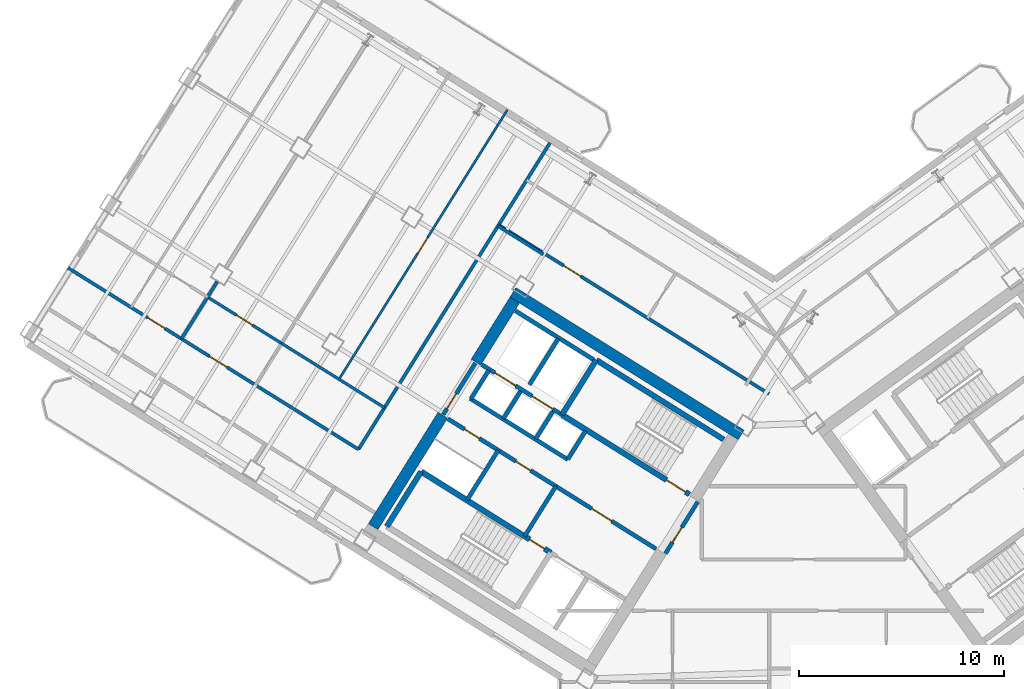
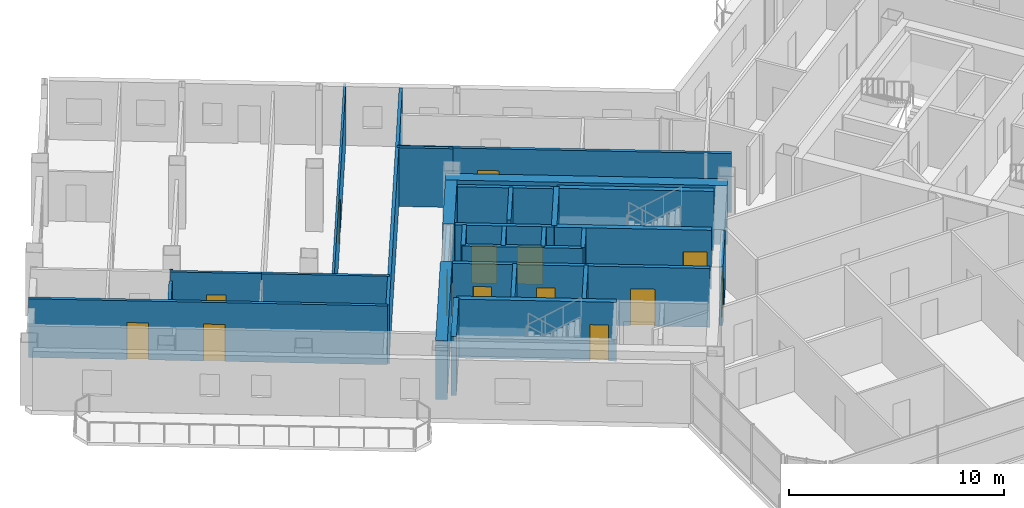
# One storey, part 12 of 20: 30 walls, 14 doors, 14 openings.
"""IFC4 building model written with IfcOpenShell, lengths in metres."""

from ifc_helpers import new_model, si_unit, direction, frame, frame_2d, origin, place, context, subcontext, project, spatial, rectangle, extrude, source, transform, mapped, material, layer, layer_set, type_object, element, fill, save


model = new_model("IFC4")

# Units and contexts
model_context = context("Model", 3, precision=1e-05, world=origin(), true_north=direction((0.0, 1.0)))
body_context = subcontext(model_context, "Body", "Model", "MODEL_VIEW")
ifc_project = project(units=[si_unit("LENGTHUNIT", "METRE"), si_unit("AREAUNIT", "SQUARE_METRE"), si_unit("VOLUMEUNIT", "CUBIC_METRE"), si_unit("PLANEANGLEUNIT", "RADIAN"), si_unit("MASSUNIT", "GRAM", prefix="KILO")], contexts=[model_context])

# Site, building, storey
site_placement = place(None, origin())
site = spatial("IfcSite", under=ifc_project, at=site_placement, CompositionType="ELEMENT")
building_placement = place(site_placement, origin())
building = spatial("IfcBuilding", under=site, at=building_placement, Name="Tlacorven Tower", CompositionType="ELEMENT")
storey_placement = place(building_placement, frame((0.0, 0.0, 204.0)))
storey = spatial("IfcBuildingStorey", under=building, at=storey_placement, Name="L51", CompositionType="ELEMENT", Elevation=204.0)

# Walls
ifc_material_1 = material(Name="Concrete C60/75", Category="concrete")
ifc_layer_1 = layer(ifc_material_1, 0.550048828125)
ifc_layer_set_1 = layer_set([ifc_layer_1], Name="Concrete C60/75")
wall_type_1 = type_object("IfcWallType", Name="WL-COR-550", PredefinedType="SHEAR", material=ifc_layer_set_1)
wall_1_placement = place(storey_placement, frame((40.572998046875, 24.010009765625, 0.0), z_axis=(0.0, 0.0, 1.0), x_axis=(-0.848047359947, 0.529920442413, 0.0)))
element("IfcWall", 1, at=wall_1_placement, inside=storey, type_object=wall_type_1, Name="L51 W core shear wall S1", PredefinedType="SHEAR", context=body_context, shape_type="SweptSolid", body=[
    extrude(rectangle(XDim=13.139892578125, YDim=0.550048828125, at=frame_2d((6.56982421875, 0.0))), origin(), (0.0, 0.0, 1.0), 3.35009765625),
])
wall_2_placement = place(storey_placement, frame((29.517333984375, 30.59423828125, 0.0), z_axis=(0.0, 0.0, 1.0), x_axis=(-0.529906864564, -0.848055844204, 0.0)))
element("IfcWall", 2, at=wall_2_placement, inside=storey, type_object=wall_type_1, Name="L51 W core end wall E2.1", PredefinedType="SHEAR", context=body_context, shape_type="SweptSolid", body=[
    extrude(rectangle(XDim=3.5751953125, YDim=0.550048828125, at=frame_2d((1.78759765625, 0.0))), origin(), (0.0, 0.0, 1.0), 3.35009765625),
])
wall_3_placement = place(storey_placement, frame((26.006591796875, 24.975830078125, 0.0), z_axis=(0.0, 0.0, 1.0), x_axis=(-0.529923795287, -0.848045264823, 0.0)))
element("IfcWall", 3, at=wall_3_placement, inside=storey, type_object=wall_type_1, Name="L51 W core end wall E2.2", PredefinedType="SHEAR", context=body_context, shape_type="SweptSolid", body=[
    extrude(rectangle(XDim=6.425048828125, YDim=0.550048828125, at=frame_2d((3.21240234375, 0.0))), origin(), (0.0, 0.0, 1.0), 3.35009765625),
])
ifc_material_2 = material(Name="Gypsum plasterboard acoustic partition", Category="gypsum")
ifc_layer_2 = layer(ifc_material_2, 0.159912109375)
ifc_layer_set_2 = layer_set([ifc_layer_2], Name="Gypsum plasterboard acoustic partition")
wall_type_2 = type_object("IfcWallType", Name="WL-DEM-160", PredefinedType="PARTITIONING", material=ifc_layer_set_2)
wall_4_placement = place(storey_placement, frame((30.91357421875, 32.82861328125, 0.0), z_axis=(0.0, 0.0, 1.0), x_axis=(-0.848008813643, 0.529982124211, 0.0)))
element("IfcWall", 4, at=wall_4_placement, inside=storey, type_object=wall_type_2, Name="L51 partition 45", PredefinedType="PARTITIONING", context=body_context, shape_type="SweptSolid", body=[
    extrude(rectangle(XDim=2.610107421875, YDim=0.159912109375, at=frame_2d((1.30517578125, 0.0))), origin(), (0.0, 0.0, 1.0), 3.340087890625),
])
wall_5_placement = place(storey_placement, frame((31.238525390625, 38.27392578125, 0.0), z_axis=(0.0, 0.0, 1.0), x_axis=(-0.529918119251, -0.84804881162, 0.0)))
element("IfcWall", 5, at=wall_5_placement, inside=storey, type_object=wall_type_2, Name="L51 partition 47", PredefinedType="PARTITIONING", context=body_context, shape_type="SweptSolid", body=[
    extrude(rectangle(XDim=17.64990234375, YDim=0.159912109375, at=frame_2d((8.824951171875, 0.0))), origin(), (0.0, 0.0, 1.0), 3.340087890625),
])

# Wall, openings, doors
wall_6_placement = place(storey_placement, frame((21.885498046875, 23.305908203125, 0.0), z_axis=(0.0, 0.0, 1.0), x_axis=(-0.848052408131, 0.529912363569, 0.0)))
wall_6 = element("IfcWall", 6, at=wall_6_placement, inside=storey, type_object=wall_type_2, Name="L51 Wing W Corridor South Wall", PredefinedType="PARTITIONING", context=body_context, shape_type="SweptSolid", body=[
    extrude(rectangle(XDim=16.72998046875, YDim=0.159912109375, at=frame_2d((8.364990234375, 0.0))), origin(), (0.0, 0.0, 1.0), 3.340087890625),
])
opening_1_placement = place(wall_6_placement, frame((7.570068359375, 0.0, 0.0)))
opening_1 = element("IfcOpeningElement", 7, at=opening_1_placement, cuts=wall_6, Name="Opening D11", PredefinedType="OPENING", context=body_context, shape_type="SweptSolid", body=[
    extrude(rectangle(XDim=1.0, YDim=2.10009765625, at=frame_2d((0.5, 1.050048828125))), frame((0.0, 0.08984375, 0.0), z_axis=(0.0, -1.0, 0.0), x_axis=(1.0, 0.0, 0.0)), (0.0, 0.0, 1.0), 0.179931640625),
])
opening_2_placement = place(wall_6_placement, frame((11.139892578125, 0.0, 0.0)))
opening_2 = element("IfcOpeningElement", 8, at=opening_2_placement, cuts=wall_6, Name="Opening D11", PredefinedType="OPENING", context=body_context, shape_type="SweptSolid", body=[
    extrude(rectangle(XDim=1.0, YDim=2.10009765625, at=frame_2d((0.5, 1.050048828125))), frame((0.0, 0.08984375, 0.0), z_axis=(0.0, -1.0, 0.0), x_axis=(1.0, 0.0, 0.0)), (0.0, 0.0, 1.0), 0.179931640625),
])
ifc_material_3 = material(Name="Fire-rated steel door assembly", Category="steel")
door_type_1 = type_object("IfcDoorType", Name="DR-FLT-FD60-1000", OperationType="NOTDEFINED", PredefinedType="DOOR", material=ifc_material_3)
shared_shape_1 = source(origin(), body_context, "Body", "SweptSolid", [
    extrude(rectangle(XDim=1.0, YDim=2.10009765625, at=frame_2d((0.5, 1.050048828125))), frame((0.0, 0.02490234375, 0.0), z_axis=(0.0, -1.0, 0.0), x_axis=(1.0, 0.0, 0.0)), (0.0, 0.0, 1.0), 0.050048828125),
])
door_1_placement = place(opening_1_placement, origin())
door_1 = element("IfcDoor", 9, at=door_1_placement, inside=storey, type_object=door_type_1, Name="L51 door 024", OperationType="SINGLE_SWING_RIGHT", OverallHeight=2.10009765625, OverallWidth=1.0, PredefinedType="DOOR", context=body_context, shape_type="MappedRepresentation", body=[
    mapped(shared_shape_1, transform((0.0, 0.0, 0.0), scale=1.0)),
])
fill(opening_1, door_1)
door_2_placement = place(opening_2_placement, origin())
door_2 = element("IfcDoor", 10, at=door_2_placement, inside=storey, type_object=door_type_1, Name="L51 door 030", OperationType="SINGLE_SWING_RIGHT", OverallHeight=2.10009765625, OverallWidth=1.0, PredefinedType="DOOR", context=body_context, shape_type="MappedRepresentation", body=[
    mapped(shared_shape_1, transform((0.0, 0.0, 0.0), scale=1.0)),
])
fill(opening_2, door_2)

# Wall
wall_7_placement = place(storey_placement, frame((14.986083984375, 31.494140625, 0.0), z_axis=(0.0, 0.0, 1.0), x_axis=(-0.529885466561, -0.848069214349, 0.0)))
element("IfcWall", 11, at=wall_7_placement, inside=storey, type_object=wall_type_2, Name="L51 WS Demising Wall 1", PredefinedType="PARTITIONING", context=body_context, shape_type="SweptSolid", body=[
    extrude(rectangle(XDim=3.287841796875, YDim=0.159912109375, at=frame_2d((1.64404296875, 0.0))), origin(), (0.0, 0.0, 1.0), 2.824951171875),
])

# Wall, opening, door
wall_8_placement = place(storey_placement, frame((41.93603515625, 26.011962890625, 0.0), z_axis=(0.0, 0.0, 1.0), x_axis=(-0.848051154596, 0.529914369676, 0.0)))
wall_8 = element("IfcWall", 12, at=wall_8_placement, inside=storey, type_object=wall_type_2, Name="L51 partition 64", PredefinedType="PARTITIONING", context=body_context, shape_type="SweptSolid", body=[
    extrude(rectangle(XDim=15.56982421875, YDim=0.159912109375, at=frame_2d((7.784912109375, 0.0))), origin(), (0.0, 0.0, 1.0), 3.340087890625),
])
opening_3_placement = place(wall_8_placement, frame((10.830078125, 0.0, 0.0)))
opening_3 = element("IfcOpeningElement", 13, at=opening_3_placement, cuts=wall_8, Name="Opening D11", PredefinedType="OPENING", context=body_context, shape_type="SweptSolid", body=[
    extrude(rectangle(XDim=1.0, YDim=2.10009765625, at=frame_2d((0.5, 1.050048828125))), frame((0.0, 0.08984375, 0.0), z_axis=(0.0, -1.0, 0.0), x_axis=(1.0, 0.0, 0.0)), (0.0, 0.0, 1.0), 0.179931640625),
])
door_3_placement = place(opening_3_placement, origin())
door_3 = element("IfcDoor", 14, at=door_3_placement, inside=storey, type_object=door_type_1, Name="L51 door 035", OperationType="SINGLE_SWING_LEFT", OverallHeight=2.10009765625, OverallWidth=1.0, PredefinedType="DOOR", context=body_context, shape_type="MappedRepresentation", body=[
    mapped(shared_shape_1, transform((0.0, 0.0, 0.0), scale=1.0)),
])
fill(opening_3, door_3)

ifc_material_4 = material(Name="Gypsum plasterboard partition", Category="gypsum")
ifc_layer_3 = layer(ifc_material_4, 0.110107421875)
ifc_layer_set_3 = layer_set([ifc_layer_3], Name="Gypsum plasterboard partition")
wall_type_3 = type_object("IfcWallType", Name="WL-INT-110", PredefinedType="PARTITIONING", material=ifc_layer_set_3)
wall_9_placement = place(storey_placement, frame((29.161376953125, 39.890380859375, 0.0), z_axis=(0.0, 0.0, 1.0), x_axis=(-0.529915512424, -0.848050440535, 0.0)))
wall_9 = element("IfcWall", 15, at=wall_9_placement, inside=storey, type_object=wall_type_3, Name="L51 partition 58", PredefinedType="PARTITIONING", context=body_context, shape_type="SweptSolid", body=[
    extrude(rectangle(XDim=15.520263671875, YDim=0.110107421875, at=frame_2d((7.76025390625, 0.0))), origin(), (0.0, 0.0, 1.0), 3.340087890625),
])
opening_4_placement = place(wall_9_placement, frame((7.344970703125, 0.0, 0.0)))
opening_4 = element("IfcOpeningElement", 16, at=opening_4_placement, cuts=wall_9, Name="Opening D12", PredefinedType="OPENING", context=body_context, shape_type="SweptSolid", body=[
    extrude(rectangle(XDim=0.919921875, YDim=2.080078125, at=frame_2d((0.4599609375, 1.0400390625))), frame((0.0, 0.06494140625, 0.0), z_axis=(0.0, -1.0, 0.0), x_axis=(1.0, 0.0, 0.0)), (0.0, 0.0, 1.0), 0.130126953125),
])
ifc_material_5 = material(Name="Powder-coated aluminium and timber door", Category="wood")
door_type_2 = type_object("IfcDoorType", Name="DR-INT-ROOM-0920", OperationType="NOTDEFINED", PredefinedType="DOOR", material=ifc_material_5)
shared_shape_2 = source(origin(), body_context, "Body", "SweptSolid", [
    extrude(rectangle(XDim=0.919921875, YDim=2.080078125, at=frame_2d((0.4599609375, 1.0400390625))), frame((0.0, 0.02490234375, 0.0), z_axis=(0.0, -1.0, 0.0), x_axis=(1.0, 0.0, 0.0)), (0.0, 0.0, 1.0), 0.050048828125),
])
door_4_placement = place(opening_4_placement, origin())
door_4 = element("IfcDoor", 17, at=door_4_placement, inside=storey, type_object=door_type_2, Name="L51 door 028", OperationType="SINGLE_SWING_RIGHT", OverallHeight=2.080078125, OverallWidth=0.919921875, PredefinedType="DOOR", context=body_context, shape_type="MappedRepresentation", body=[
    mapped(shared_shape_2, transform((0.0, 0.0, 0.0), scale=1.0)),
])
fill(opening_4, door_4)

ifc_material_6 = material(Name="Moisture-resistant gypsum plumbing wall", Category="gypsum")
ifc_layer_4 = layer(ifc_material_6, 0.139892578125)
ifc_layer_set_4 = layer_set([ifc_layer_4], Name="Moisture-resistant gypsum plumbing wall")
wall_type_4 = type_object("IfcWallType", Name="WL-PLM-140", PredefinedType="PLUMBINGWALL", material=ifc_layer_set_4)
wall_10_placement = place(storey_placement, frame((18.111328125, 28.494140625, 0.0), z_axis=(0.0, 0.0, 1.0), x_axis=(-0.848024181217, 0.529957534215, 0.0)))
wall_10 = element("IfcWall", 18, at=wall_10_placement, inside=storey, type_object=wall_type_4, Name="L51 partition 56", PredefinedType="PLUMBINGWALL", context=body_context, shape_type="SweptSolid", body=[
    extrude(rectangle(XDim=4.239990234375, YDim=0.139892578125, at=frame_2d((2.1201171875, 0.0))), origin(), (0.0, 0.0, 1.0), 3.340087890625),
])
opening_5_placement = place(wall_10_placement, frame((1.659912109375, 0.0, 0.0)))
opening_5 = element("IfcOpeningElement", 19, at=opening_5_placement, cuts=wall_10, Name="Opening D12", PredefinedType="OPENING", context=body_context, shape_type="SweptSolid", body=[
    extrude(rectangle(XDim=0.919921875, YDim=2.080078125, at=frame_2d((0.4599609375, 1.0400390625))), frame((0.0, 0.080078125, 0.0), z_axis=(0.0, -1.0, 0.0), x_axis=(1.0, 0.0, 0.0)), (0.0, 0.0, 1.0), 0.159912109375),
])
door_5_placement = place(opening_5_placement, origin())
door_5 = element("IfcDoor", 20, at=door_5_placement, inside=storey, type_object=door_type_2, Name="L51 door 025", OperationType="SINGLE_SWING_LEFT", OverallHeight=2.080078125, OverallWidth=0.919921875, PredefinedType="DOOR", context=body_context, shape_type="MappedRepresentation", body=[
    mapped(shared_shape_2, transform((0.0, 0.0, 0.0), scale=1.0)),
])
fill(opening_5, door_5)

# Wall
wall_11_placement = place(storey_placement, frame((23.1572265625, 25.34130859375, 0.0), z_axis=(0.0, 0.0, 1.0), x_axis=(-0.848062843461, 0.529895662882, 0.0)))
element("IfcWall", 21, at=wall_11_placement, inside=storey, type_object=wall_type_4, Name="L51 partition 57", PredefinedType="PLUMBINGWALL", context=body_context, shape_type="SweptSolid", body=[
    extrude(rectangle(XDim=5.949951171875, YDim=0.139892578125, at=frame_2d((2.97509765625, 0.0))), origin(), (0.0, 0.0, 1.0), 3.340087890625),
])

# Wall, opening, door
ifc_material_7 = material(Name="Concrete C40/50", Category="concrete")
ifc_layer_5 = layer(ifc_material_7, 0.199951171875)
ifc_layer_set_5 = layer_set([ifc_layer_5], Name="Concrete C40/50")
wall_type_5 = type_object("IfcWallType", Name="WL-SHF-200", PredefinedType="STANDARD", material=ifc_layer_set_5)
wall_12_placement = place(storey_placement, frame((36.416748046875, 18.447265625, 0.0), z_axis=(0.0, 0.0, 1.0), x_axis=(-0.848064879198, 0.529892404805, 0.0)))
wall_12 = element("IfcWall", 22, at=wall_12_placement, inside=storey, type_object=wall_type_5, Name="L51 Core W Smoke Lobby Wall", PredefinedType="STANDARD", context=body_context, shape_type="SweptSolid", body=[
    extrude(rectangle(XDim=5.76806640625, YDim=0.199951171875, at=frame_2d((2.884033203125, 0.0))), origin(), (0.0, 0.0, 1.0), 3.340087890625),
])
opening_6_placement = place(wall_12_placement, frame((2.548095703125, 0.0, 0.0)))
opening_6 = element("IfcOpeningElement", 23, at=opening_6_placement, cuts=wall_12, Name="Opening D09", PredefinedType="OPENING", context=body_context, shape_type="SweptSolid", body=[
    extrude(rectangle(XDim=1.14990234375, YDim=2.10009765625, at=frame_2d((0.574951171875, 1.050048828125))), frame((0.0, 0.10986328125, 0.0), z_axis=(0.0, -1.0, 0.0), x_axis=(1.0, 0.0, 0.0)), (0.0, 0.0, 1.0), 0.219970703125),
])
door_type_3 = type_object("IfcDoorType", Name="DR-FFL-FD60-1150", OperationType="NOTDEFINED", PredefinedType="DOOR", material=ifc_material_3)
shared_shape_3 = source(origin(), body_context, "Body", "SweptSolid", [
    extrude(rectangle(XDim=1.14990234375, YDim=2.10009765625, at=frame_2d((0.574951171875, 1.050048828125))), frame((0.0, 0.02490234375, 0.0), z_axis=(0.0, -1.0, 0.0), x_axis=(1.0, 0.0, 0.0)), (0.0, 0.0, 1.0), 0.050048828125),
])
door_6_placement = place(opening_6_placement, origin())
door_6 = element("IfcDoor", 24, at=door_6_placement, inside=storey, type_object=door_type_3, Name="L51 Firefighting Lobby W Fire Door", OperationType="SINGLE_SWING_LEFT", OverallHeight=2.10009765625, OverallWidth=1.14990234375, PredefinedType="DOOR", context=body_context, shape_type="MappedRepresentation", body=[
    mapped(shared_shape_3, transform((0.0, 0.0, 0.0), scale=1.0)),
])
fill(opening_6, door_6)

# Wall, openings, doors
wall_13_placement = place(storey_placement, frame((31.82177734375, 24.99755859375, 0.0), z_axis=(0.0, 0.0, 1.0), x_axis=(-0.848036912365, 0.52993716162, 0.0)))
wall_13 = element("IfcWall", 25, at=wall_13_placement, inside=storey, type_object=wall_type_5, Name="L51 Core W South Lift Shaft Wall", PredefinedType="STANDARD", context=body_context, shape_type="SweptSolid", body=[
    extrude(rectangle(XDim=4.617919921875, YDim=0.199951171875, at=frame_2d((2.30908203125, 0.0))), origin(), (0.0, 0.0, 1.0), 3.340087890625),
])
opening_7_placement = place(wall_13_placement, frame((0.52001953125, 0.0, 0.0)))
opening_7 = element("IfcOpeningElement", 26, at=opening_7_placement, cuts=wall_13, Name="Opening LD02", PredefinedType="OPENING", context=body_context, shape_type="SweptSolid", body=[
    extrude(rectangle(XDim=1.199951171875, YDim=2.14990234375, at=frame_2d((0.60009765625, 1.074951171875))), frame((0.0, 0.10986328125, 0.0), z_axis=(0.0, -1.0, 0.0), x_axis=(1.0, 0.0, 0.0)), (0.0, 0.0, 1.0), 0.219970703125),
])
opening_8_placement = place(wall_13_placement, frame((2.659912109375, 0.0, 0.0)))
opening_8 = element("IfcOpeningElement", 27, at=opening_8_placement, cuts=wall_13, Name="Opening LD02", PredefinedType="OPENING", context=body_context, shape_type="SweptSolid", body=[
    extrude(rectangle(XDim=1.199951171875, YDim=2.14990234375, at=frame_2d((0.60009765625, 1.074951171875))), frame((0.0, 0.10986328125, 0.0), z_axis=(0.0, -1.0, 0.0), x_axis=(1.0, 0.0, 0.0)), (0.0, 0.0, 1.0), 0.219970703125),
])
door_type_4 = type_object("IfcDoorType", Name="DR-LFT-SLID-1200", OperationType="DOUBLE_DOOR_SLIDING", PredefinedType="DOOR", material=ifc_material_3)
shared_shape_4 = source(origin(), body_context, "Body", "SweptSolid", [
    extrude(rectangle(XDim=1.199951171875, YDim=2.14990234375, at=frame_2d((0.60009765625, 1.074951171875))), frame((0.0, 0.02490234375, 0.0), z_axis=(0.0, -1.0, 0.0), x_axis=(1.0, 0.0, 0.0)), (0.0, 0.0, 1.0), 0.050048828125),
])
door_7_placement = place(opening_7_placement, origin())
door_7 = element("IfcDoor", 28, at=door_7_placement, inside=storey, type_object=door_type_4, Name="L51 Lift PL-H1 Sliding Landing Door", OperationType="DOUBLE_DOOR_SLIDING", OverallHeight=2.14990234375, OverallWidth=1.199951171875, PredefinedType="DOOR", context=body_context, shape_type="MappedRepresentation", body=[
    mapped(shared_shape_4, transform((0.0, 0.0, 0.0), scale=1.0)),
])
fill(opening_7, door_7)
door_8_placement = place(opening_8_placement, origin())
door_8 = element("IfcDoor", 29, at=door_8_placement, inside=storey, type_object=door_type_4, Name="L51 Lift PL-H2 Sliding Landing Door", OperationType="DOUBLE_DOOR_SLIDING", OverallHeight=2.14990234375, OverallWidth=1.199951171875, PredefinedType="DOOR", context=body_context, shape_type="MappedRepresentation", body=[
    mapped(shared_shape_4, transform((0.0, 0.0, 0.0), scale=1.0)),
])
fill(opening_8, door_8)

# Walls
wall_14_placement = place(storey_placement, frame((32.108154296875, 22.81396484375, 0.0), z_axis=(0.0, 0.0, 1.0), x_axis=(-0.848042229521, 0.529928652696, 0.0)))
element("IfcWall", 30, at=wall_14_placement, inside=storey, type_object=wall_type_5, Name="L51 partition 11", PredefinedType="STANDARD", context=body_context, shape_type="SweptSolid", body=[
    extrude(rectangle(XDim=5.6201171875, YDim=0.199951171875, at=frame_2d((2.81005859375, 0.0))), origin(), (0.0, 0.0, 1.0), 3.340087890625),
])
wall_15_placement = place(storey_placement, frame((32.982421875, 24.21337890625, 0.0), z_axis=(0.0, 0.0, 1.0), x_axis=(-0.529839334948, -0.84809803628, 0.0)))
element("IfcWall", 31, at=wall_15_placement, inside=storey, type_object=wall_type_5, Name="L51 partition 12", PredefinedType="STANDARD", context=body_context, shape_type="SweptSolid", body=[
    extrude(rectangle(XDim=1.650146484375, YDim=0.199951171875, at=frame_2d((0.8251953125, 0.0))), origin(), (0.0, 0.0, 1.0), 3.340087890625),
])
wall_16_placement = place(storey_placement, frame((28.250244140625, 27.170166015625, 0.0), z_axis=(0.0, 0.0, 1.0), x_axis=(-0.529905827651, -0.848056492117, 0.0)))
element("IfcWall", 32, at=wall_16_placement, inside=storey, type_object=wall_type_5, Name="L51 partition 13", PredefinedType="STANDARD", context=body_context, shape_type="SweptSolid", body=[
    extrude(rectangle(XDim=1.64990234375, YDim=0.199951171875, at=frame_2d((0.824951171875, 0.0))), origin(), (0.0, 0.0, 1.0), 3.340087890625),
])
wall_17_placement = place(storey_placement, frame((31.645263671875, 28.716064453125, 0.0), z_axis=(0.0, 0.0, 1.0), x_axis=(-0.52986693015, -0.848080795876, 0.0)))
element("IfcWall", 33, at=wall_17_placement, inside=storey, type_object=wall_type_5, Name="L51 partition 15", PredefinedType="STANDARD", context=body_context, shape_type="SweptSolid", body=[
    extrude(rectangle(XDim=2.659912109375, YDim=0.199951171875, at=frame_2d((1.330078125, 0.0))), origin(), (0.0, 0.0, 1.0), 3.340087890625),
])
wall_18_placement = place(storey_placement, frame((33.362548828125, 27.690185546875, 0.0), z_axis=(0.0, 0.0, 1.0), x_axis=(-0.848047090064, 0.529920874315, 0.0)))
element("IfcWall", 34, at=wall_18_placement, inside=storey, type_object=wall_type_5, Name="L51 partition 17", PredefinedType="STANDARD", context=body_context, shape_type="SweptSolid", body=[
    extrude(rectangle(XDim=4.498046875, YDim=0.199951171875, at=frame_2d((2.2490234375, 0.0))), origin(), (0.0, 0.0, 1.0), 3.340087890625),
])
for number, where, z_axis, x_axis, name in (
    (35, (31.378662109375, 25.156494140625, 0.0), (0.0, 0.0, 1.0), (-0.529998940003, -0.847998304005, 0.0), "L51 partition 18"),
    (36, (29.80126953125, 26.14208984375, 0.0), (0.0, 0.0, 1.0), (-0.529998940003, -0.847998304005, 0.0), "L51 partition 19"),
):
    element("IfcWall", number, at=place(storey_placement, frame(where, z_axis=z_axis, x_axis=x_axis)), inside=storey, type_object=wall_type_5, Name=name, PredefinedType="STANDARD", context=body_context, shape_type="SweptSolid", body=[
        extrude(rectangle(XDim=1.580078125, YDim=0.199951171875, at=frame_2d((0.7900390625, 0.0))), origin(), (0.0, 0.0, 1.0), 3.340087890625),
    ])
for number, where, z_axis, x_axis, name in (
    (37, (31.525146484375, 21.503662109375, 0.0), (0.0, 0.0, 1.0), (-0.529907497854, -0.848055448493, 0.0), "L51 partition 20"),
    (38, (28.709716796875, 23.26318359375, 0.0), (0.0, 0.0, 1.0), (-0.529907497854, -0.848055448493, 0.0), "L51 partition 21"),
):
    element("IfcWall", number, at=place(storey_placement, frame(where, z_axis=z_axis, x_axis=x_axis)), inside=storey, type_object=wall_type_5, Name=name, PredefinedType="STANDARD", context=body_context, shape_type="SweptSolid", body=[
        extrude(rectangle(XDim=2.8798828125, YDim=0.199951171875, at=frame_2d((1.43994140625, 0.0))), origin(), (0.0, 0.0, 1.0), 3.340087890625),
    ])

# Wall, openings, doors
wall_19_placement = place(storey_placement, frame((31.525146484375, 21.503662109375, 0.0), z_axis=(0.0, 0.0, 1.0), x_axis=(-0.848040211232, 0.529931882541, 0.0)))
wall_19 = element("IfcWall", 39, at=wall_19_placement, inside=storey, type_object=wall_type_5, Name="L51 Core W North Service Wall", PredefinedType="STANDARD", context=body_context, shape_type="SweptSolid", body=[
    extrude(rectangle(XDim=6.218017578125, YDim=0.199951171875, at=frame_2d((3.10888671875, 0.0))), origin(), (0.0, 0.0, 1.0), 3.340087890625),
])
opening_9_placement = place(wall_19_placement, frame((4.39990234375, 0.0, 0.0)))
opening_9 = element("IfcOpeningElement", 40, at=opening_9_placement, cuts=wall_19, Name="Opening D19", PredefinedType="OPENING", context=body_context, shape_type="SweptSolid", body=[
    extrude(rectangle(XDim=0.860107421875, YDim=2.050048828125, at=frame_2d((0.43017578125, 1.02490234375))), frame((0.0, 0.10986328125, 0.0), z_axis=(0.0, -1.0, 0.0), x_axis=(1.0, 0.0, 0.0)), (0.0, 0.0, 1.0), 0.219970703125),
])
opening_10_placement = place(wall_19_placement, frame((1.449951171875, 0.0, 0.0)))
opening_10 = element("IfcOpeningElement", 41, at=opening_10_placement, cuts=wall_19, Name="Opening D19", PredefinedType="OPENING", context=body_context, shape_type="SweptSolid", body=[
    extrude(rectangle(XDim=0.860107421875, YDim=2.050048828125, at=frame_2d((0.43017578125, 1.02490234375))), frame((0.0, 0.10986328125, 0.0), z_axis=(0.0, -1.0, 0.0), x_axis=(1.0, 0.0, 0.0)), (0.0, 0.0, 1.0), 0.219970703125),
])
door_type_5 = type_object("IfcDoorType", Name="DR-RSR-FD60-0860", OperationType="NOTDEFINED", PredefinedType="DOOR", material=ifc_material_3)
shared_shape_5 = source(origin(), body_context, "Body", "SweptSolid", [
    extrude(rectangle(XDim=0.860107421875, YDim=2.050048828125, at=frame_2d((0.43017578125, 1.02490234375))), frame((0.0, 0.02490234375, 0.0), z_axis=(0.0, -1.0, 0.0), x_axis=(1.0, 0.0, 0.0)), (0.0, 0.0, 1.0), 0.050048828125),
])
door_9_placement = place(opening_9_placement, frame((0.860107421875, 0.0, 0.0), z_axis=(0.0, 0.0, 1.0), x_axis=(-1.0, 0.0, 0.0)))
door_9 = element("IfcDoor", 42, at=door_9_placement, inside=storey, type_object=door_type_5, Name="L51 Electrical Riser Access Door W", OperationType="SINGLE_SWING_RIGHT", OverallHeight=2.050048828125, OverallWidth=0.860107421875, PredefinedType="DOOR", context=body_context, shape_type="MappedRepresentation", body=[
    mapped(shared_shape_5, transform((0.0, 0.0, 0.0), scale=1.0)),
])
fill(opening_9, door_9)
door_10_placement = place(opening_10_placement, frame((0.860107421875, 0.0, 0.0), z_axis=(0.0, 0.0, 1.0), x_axis=(-1.0, 0.0, 0.0)))
door_10 = element("IfcDoor", 43, at=door_10_placement, inside=storey, type_object=door_type_5, Name="L51 Housekeeping Linen Access Door W", OperationType="SINGLE_SWING_LEFT", OverallHeight=2.050048828125, OverallWidth=0.860107421875, PredefinedType="DOOR", context=body_context, shape_type="MappedRepresentation", body=[
    mapped(shared_shape_5, transform((0.0, 0.0, 0.0), scale=1.0)),
])
fill(opening_10, door_10)

# Wall, opening, door
wall_20_placement = place(storey_placement, frame((27.59619140625, 27.52001953125, 0.0), z_axis=(0.0, 0.0, 1.0), x_axis=(-0.529865479138, -0.848081702443, 0.0)))
wall_20 = element("IfcWall", 44, at=wall_20_placement, inside=storey, type_object=wall_type_5, Name="L51 partition 44", PredefinedType="STANDARD", context=body_context, shape_type="SweptSolid", body=[
    extrude(rectangle(XDim=2.9599609375, YDim=0.199951171875, at=frame_2d((1.47998046875, 0.0))), origin(), (0.0, 0.0, 1.0), 3.340087890625),
])
opening_11_placement = place(wall_20_placement, frame((1.760009765625, 0.0, 0.0)))
opening_11 = element("IfcOpeningElement", 45, at=opening_11_placement, cuts=wall_20, Name="Opening D19", PredefinedType="OPENING", context=body_context, shape_type="SweptSolid", body=[
    extrude(rectangle(XDim=0.860107421875, YDim=2.050048828125, at=frame_2d((0.43017578125, 1.02490234375))), frame((0.0, 0.10986328125, 0.0), z_axis=(0.0, -1.0, 0.0), x_axis=(1.0, 0.0, 0.0)), (0.0, 0.0, 1.0), 0.219970703125),
])
door_11_placement = place(opening_11_placement, origin())
door_11 = element("IfcDoor", 46, at=door_11_placement, inside=storey, type_object=door_type_5, Name="L51 door 019", OperationType="SINGLE_SWING_LEFT", OverallHeight=2.050048828125, OverallWidth=0.860107421875, PredefinedType="DOOR", context=body_context, shape_type="MappedRepresentation", body=[
    mapped(shared_shape_5, transform((0.0, 0.0, 0.0), scale=1.0)),
])
fill(opening_11, door_11)

wall_21_placement = place(storey_placement, frame((38.451416015625, 20.737060546875, 0.0), z_axis=(0.0, 0.0, 1.0), x_axis=(-0.529924799939, -0.848044637038, 0.0)))
wall_21 = element("IfcWall", 47, at=wall_21_placement, inside=storey, type_object=wall_type_5, Name="L51 partition 68", PredefinedType="STANDARD", context=body_context, shape_type="SweptSolid", body=[
    extrude(rectangle(XDim=2.9599609375, YDim=0.199951171875, at=frame_2d((1.47998046875, 0.0))), origin(), (0.0, 0.0, 1.0), 3.340087890625),
])
opening_12_placement = place(wall_21_placement, frame((1.4599609375, 0.0, 0.0)))
opening_12 = element("IfcOpeningElement", 48, at=opening_12_placement, cuts=wall_21, Name="Opening D19", PredefinedType="OPENING", context=body_context, shape_type="SweptSolid", body=[
    extrude(rectangle(XDim=0.860107421875, YDim=2.050048828125, at=frame_2d((0.43017578125, 1.02490234375))), frame((0.0, 0.10986328125, 0.0), z_axis=(0.0, -1.0, 0.0), x_axis=(1.0, 0.0, 0.0)), (0.0, 0.0, 1.0), 0.219970703125),
])
door_12_placement = place(opening_12_placement, frame((0.860107421875, 0.0, 0.0), z_axis=(0.0, 0.0, 1.0), x_axis=(-1.0, 0.0, 0.0)))
door_12 = element("IfcDoor", 49, at=door_12_placement, inside=storey, type_object=door_type_5, Name="L51 door 039", OperationType="SINGLE_SWING_LEFT", OverallHeight=2.050048828125, OverallWidth=0.860107421875, PredefinedType="DOOR", context=body_context, shape_type="MappedRepresentation", body=[
    mapped(shared_shape_5, transform((0.0, 0.0, 0.0), scale=1.0)),
])
fill(opening_12, door_12)

ifc_material_8 = material(Name="Concrete C50/60", Category="concrete")
ifc_layer_6 = layer(ifc_material_8, 0.260009765625)
ifc_layer_set_6 = layer_set([ifc_layer_6], Name="Concrete C50/60")
wall_type_6 = type_object("IfcWallType", Name="WL-STW-260", PredefinedType="SHEAR", material=ifc_layer_set_6)
wall_22_placement = place(storey_placement, frame((31.279541015625, 18.26123046875, 0.0), z_axis=(0.0, 0.0, 1.0), x_axis=(-0.848051618787, 0.529913626805, 0.0)))
wall_22 = element("IfcWall", 50, at=wall_22_placement, inside=storey, type_object=wall_type_6, Name="L51 Stair W1 Lobby Shear Wall", PredefinedType="SHEAR", context=body_context, shape_type="SweptSolid", body=[
    extrude(rectangle(XDim=7.4599609375, YDim=0.260009765625, at=frame_2d((3.72998046875, 0.0))), origin(), (0.0, 0.0, 1.0), 3.35009765625),
])
opening_13_placement = place(wall_22_placement, frame((0.360107421875, 0.0, 0.0)))
opening_13 = element("IfcOpeningElement", 51, at=opening_13_placement, cuts=wall_22, Name="Opening D19", PredefinedType="OPENING", context=body_context, shape_type="SweptSolid", body=[
    extrude(rectangle(XDim=0.860107421875, YDim=2.050048828125, at=frame_2d((0.43017578125, 1.02490234375))), frame((0.0, 0.14013671875, 0.0), z_axis=(0.0, -1.0, 0.0), x_axis=(1.0, 0.0, 0.0)), (0.0, 0.0, 1.0), 0.280029296875),
])
door_13_placement = place(opening_13_placement, frame((0.860107421875, 0.0, 0.0), z_axis=(0.0, 0.0, 1.0), x_axis=(-1.0, 0.0, 0.0)))
door_13 = element("IfcDoor", 52, at=door_13_placement, inside=storey, type_object=door_type_5, Name="L51 Exit Stair W1 Fire Door", OperationType="SINGLE_SWING_LEFT", OverallHeight=2.050048828125, OverallWidth=0.860107421875, PredefinedType="DOOR", context=body_context, shape_type="MappedRepresentation", body=[
    mapped(shared_shape_5, transform((0.0, 0.0, 0.0), scale=1.0)),
])
fill(opening_13, door_13)

# Walls
wall_23_placement = place(storey_placement, frame((24.944580078125, 22.2197265625, 0.0), z_axis=(0.0, 0.0, 1.0), x_axis=(-0.529908658664, -0.84805472316, 0.0)))
element("IfcWall", 53, at=wall_23_placement, inside=storey, type_object=wall_type_6, Name="L51 Stair W1 East Shear Wall", PredefinedType="SHEAR", context=body_context, shape_type="SweptSolid", body=[
    extrude(rectangle(XDim=3.16015625, YDim=0.260009765625, at=frame_2d((1.580078125, 0.0))), origin(), (0.0, 0.0, 1.0), 3.35009765625),
])
wall_24_placement = place(storey_placement, frame((39.720947265625, 23.787841796875, 0.0), z_axis=(0.0, 0.0, 1.0), x_axis=(-0.848054434086, 0.529909121291, 0.0)))
element("IfcWall", 54, at=wall_24_placement, inside=storey, type_object=wall_type_6, Name="L51 Stair W2 Far Shear Wall", PredefinedType="SHEAR", context=body_context, shape_type="SweptSolid", body=[
    extrude(rectangle(XDim=7.330078125, YDim=0.260009765625, at=frame_2d((3.6650390625, 0.0))), origin(), (0.0, 0.0, 1.0), 3.35009765625),
])

# Wall, opening, door
wall_25_placement = place(storey_placement, frame((38.04638671875, 21.10791015625, 0.0), z_axis=(0.0, 0.0, 1.0), x_axis=(-0.848054434086, 0.529909121291, 0.0)))
wall_25 = element("IfcWall", 55, at=wall_25_placement, inside=storey, type_object=wall_type_6, Name="L51 Stair W2 Lobby Shear Wall", PredefinedType="SHEAR", context=body_context, shape_type="SweptSolid", body=[
    extrude(rectangle(XDim=7.330078125, YDim=0.260009765625, at=frame_2d((3.6650390625, 0.0))), origin(), (0.0, 0.0, 1.0), 3.35009765625),
])
opening_14_placement = place(wall_25_placement, frame((0.219970703125, 0.0, 0.0)))
opening_14 = element("IfcOpeningElement", 56, at=opening_14_placement, cuts=wall_25, Name="Opening D07", PredefinedType="OPENING", context=body_context, shape_type="SweptSolid", body=[
    extrude(rectangle(XDim=1.10009765625, YDim=2.10009765625, at=frame_2d((0.550048828125, 1.050048828125))), frame((0.0, 0.14013671875, 0.0), z_axis=(0.0, -1.0, 0.0), x_axis=(1.0, 0.0, 0.0)), (0.0, 0.0, 1.0), 0.280029296875),
])
door_type_6 = type_object("IfcDoorType", Name="DR-STR-FD90-1100", OperationType="NOTDEFINED", PredefinedType="DOOR", material=ifc_material_3)
shared_shape_6 = source(origin(), body_context, "Body", "SweptSolid", [
    extrude(rectangle(XDim=1.10009765625, YDim=2.10009765625, at=frame_2d((0.550048828125, 1.050048828125))), frame((0.0, 0.02490234375, 0.0), z_axis=(0.0, -1.0, 0.0), x_axis=(1.0, 0.0, 0.0)), (0.0, 0.0, 1.0), 0.050048828125),
])
door_14_placement = place(opening_14_placement, origin())
door_14 = element("IfcDoor", 57, at=door_14_placement, inside=storey, type_object=door_type_6, Name="L51 Exit Stair W2 Fire Door", OperationType="SINGLE_SWING_RIGHT", OverallHeight=2.10009765625, OverallWidth=1.10009765625, PredefinedType="DOOR", context=body_context, shape_type="MappedRepresentation", body=[
    mapped(shared_shape_6, transform((0.0, 0.0, 0.0), scale=1.0)),
])
fill(opening_14, door_14)

# Wall
wall_26_placement = place(storey_placement, frame((33.496337890625, 27.677490234375, 0.0), z_axis=(0.0, 0.0, 1.0), x_axis=(-0.529908658664, -0.84805472316, 0.0)))
element("IfcWall", 58, at=wall_26_placement, inside=storey, type_object=wall_type_6, Name="L51 Stair W2 East Shear Wall", PredefinedType="SHEAR", context=body_context, shape_type="SweptSolid", body=[
    extrude(rectangle(XDim=3.16015625, YDim=0.260009765625, at=frame_2d((1.580078125, 0.0))), origin(), (0.0, 0.0, 1.0), 3.35009765625),
])

save(model, "model.ifc")
